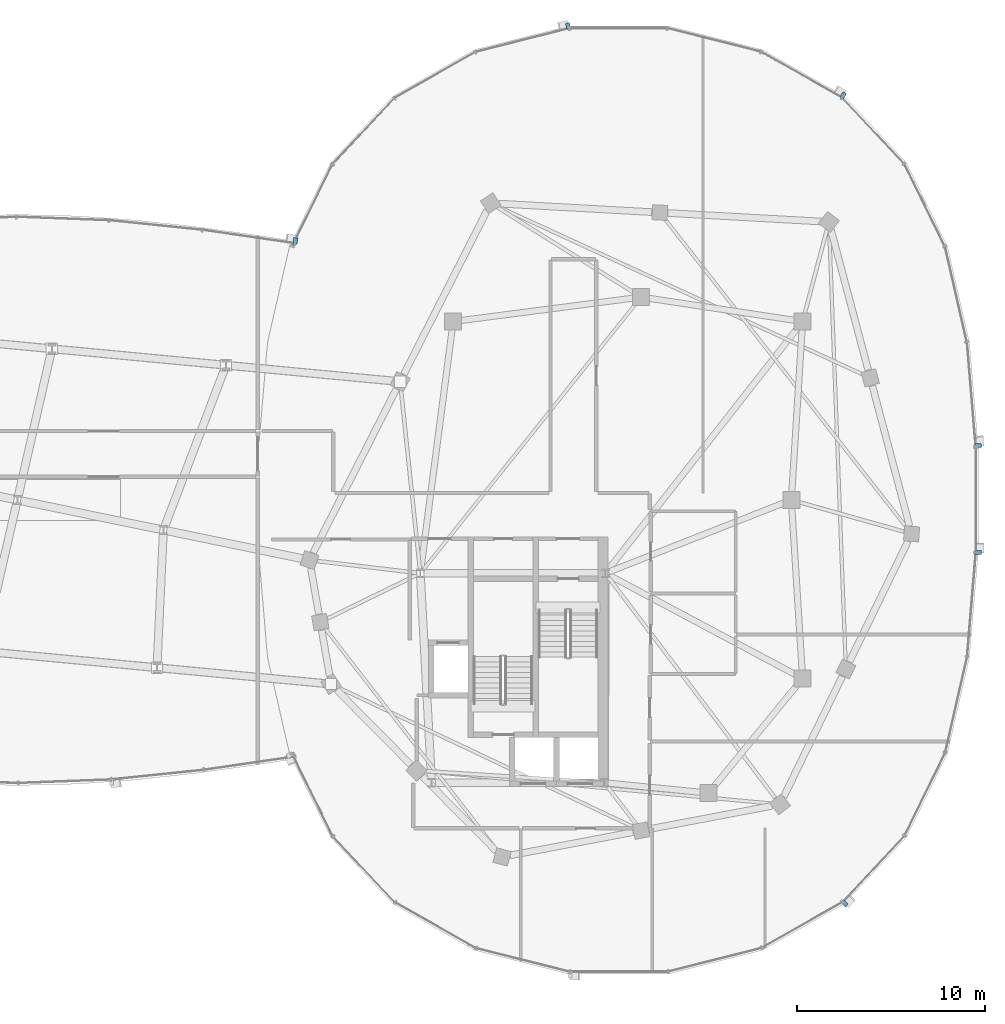
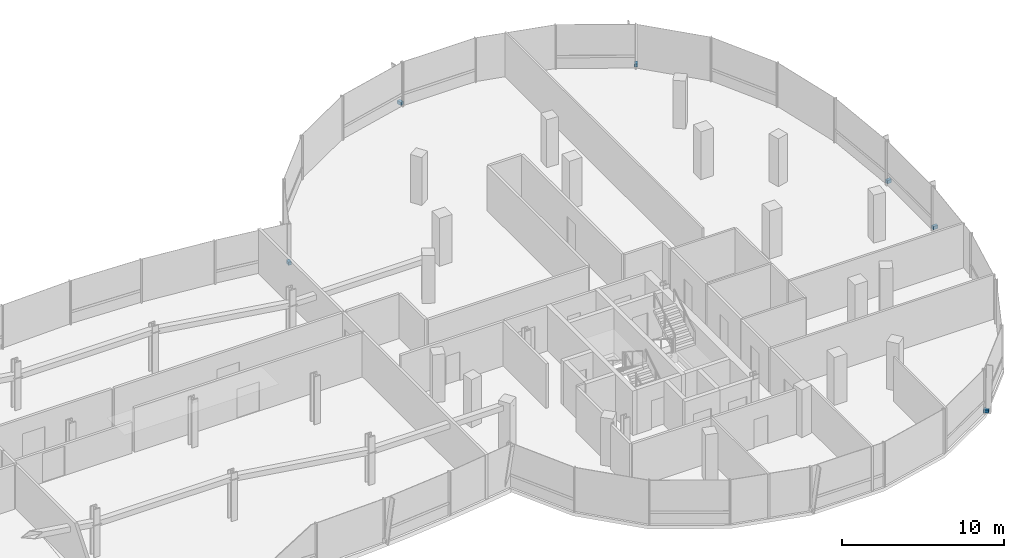
# One storey, part 19 of 25: 6 discrete accessories.
"""IFC4 building model written with IfcOpenShell, lengths in metres."""

from ifc_helpers import new_model, si_unit, direction, frame, origin, origin_2d, place, context, subcontext, project, spatial, rectangle, extrude, material, type_object, element, save


model = new_model("IFC4")

# Units and contexts
model_context = context("Model", 3, precision=1e-05, world=origin(), true_north=direction((0.0, 1.0)))
body_context = subcontext(model_context, "Body", "Model", "MODEL_VIEW")
ifc_project = project(units=[si_unit("LENGTHUNIT", "METRE"), si_unit("AREAUNIT", "SQUARE_METRE"), si_unit("VOLUMEUNIT", "CUBIC_METRE"), si_unit("PLANEANGLEUNIT", "RADIAN"), si_unit("MASSUNIT", "GRAM", prefix="KILO"), si_unit("THERMODYNAMICTEMPERATUREUNIT", "KELVIN"), si_unit("POWERUNIT", "WATT")], contexts=[model_context])

# Site, building, storey
site_placement = place(None, origin())
site = spatial("IfcSite", under=ifc_project, at=site_placement, CompositionType="ELEMENT")
building_placement = place(site_placement, origin())
building = spatial("IfcBuilding", under=site, at=building_placement, Name="Cundina Bronze Exchange", CompositionType="ELEMENT")
storey_placement = place(building_placement, frame((0.0, 0.0, 239.60009765625)))
storey = spatial("IfcBuildingStorey", under=building, at=storey_placement, Name="L63", CompositionType="ELEMENT", Elevation=239.60009765625)

# Discrete accessories
ifc_material = material(Name="Anodised Bronze Aluminium 6063-T6", Category="aluminium")
discrete_accessory_type = type_object("IfcDiscreteAccessoryType", Name="ACC-BRK-FIN", PredefinedType="BRACKET", material=ifc_material)
for number, where, z_axis, x_axis, name in (
    (1, (51.154541015625, 2.897216796875, 0.10009765625), (0.0, 0.0, 1.0), (-0.083747411454, 0.996487015006, 0.0), "L63 Fin Support Bracket 1"),
    (2, (43.958251953125, 21.54150390625, 0.10009765625), (0.0, 0.0, 1.0), (-0.869572506985, 0.493805280547, 0.0), "L63 Fin Support Bracket 5"),
    (3, (29.317626953125, 25.23681640625, 0.10009765625), (0.0, 0.0, 1.0), (-0.969731542251, -0.244173577528, 0.0), "L63 Fin Support Bracket 1"),
    (4, (44.042236328125, -21.4755859375, 0.10009765625), (0.0, 0.0, 1.0), (0.684343512797, 0.72915976061, 0.0), "L63 Fin Support Bracket 1"),
    (5, (51.158935546875, -2.79150390625, 0.10009765625), (0.0, 0.0, 1.0), (0.0, 1.0, 0.0), "L63 Fin Support Bracket 5"),
    (6, (14.799560546875, 13.79736328125, 0.10009765625), (0.0, 0.0, 1.0), (-0.989528308409, 0.144338930496, 0.0), "L63 Fin Support Bracket 1"),
):
    element("IfcDiscreteAccessory", number, at=place(storey_placement, frame(where, z_axis=z_axis, x_axis=x_axis)), inside=storey, type_object=discrete_accessory_type, Name=name, PredefinedType="BRACKET", context=body_context, shape_type="SweptSolid", body=[
        extrude(rectangle(XDim=0.219970703125, YDim=0.320068359375, at=origin_2d()), origin(), (0.0, 0.0, 1.0), 0.239990234375),
    ])

save(model, "model.ifc")
